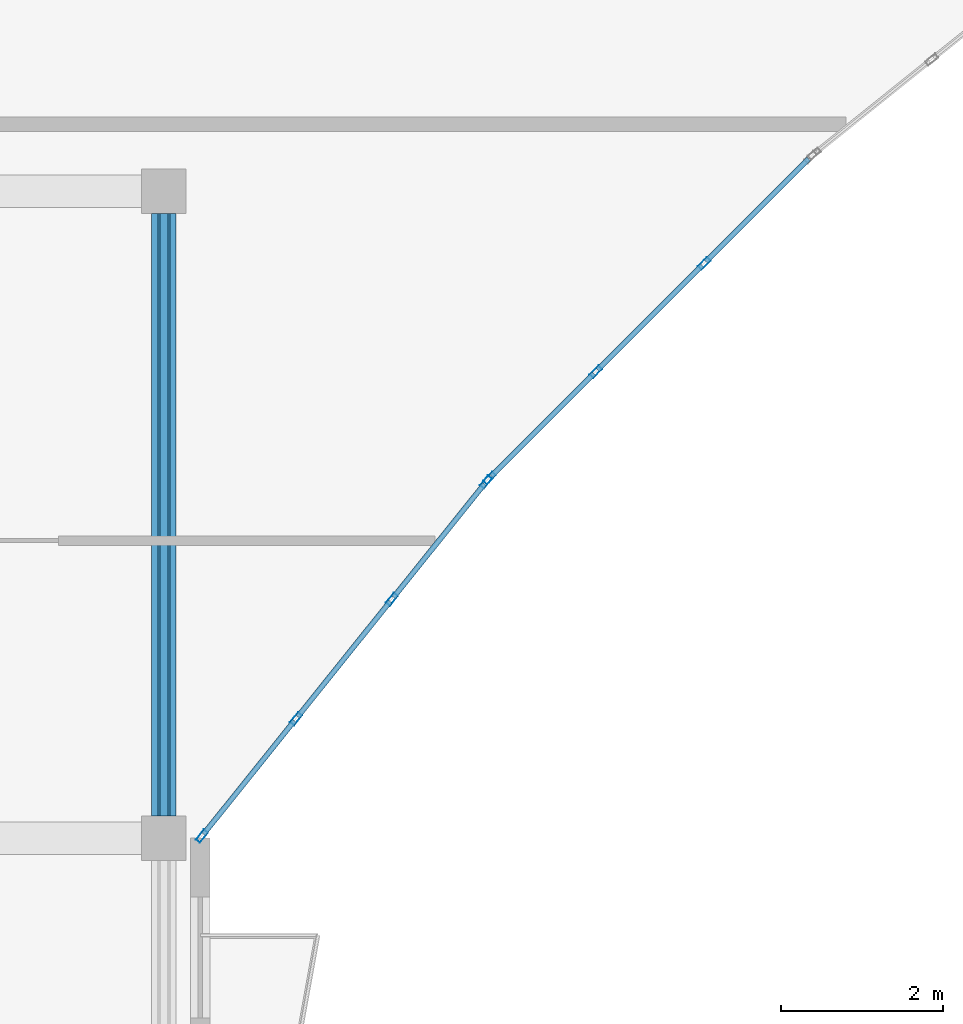
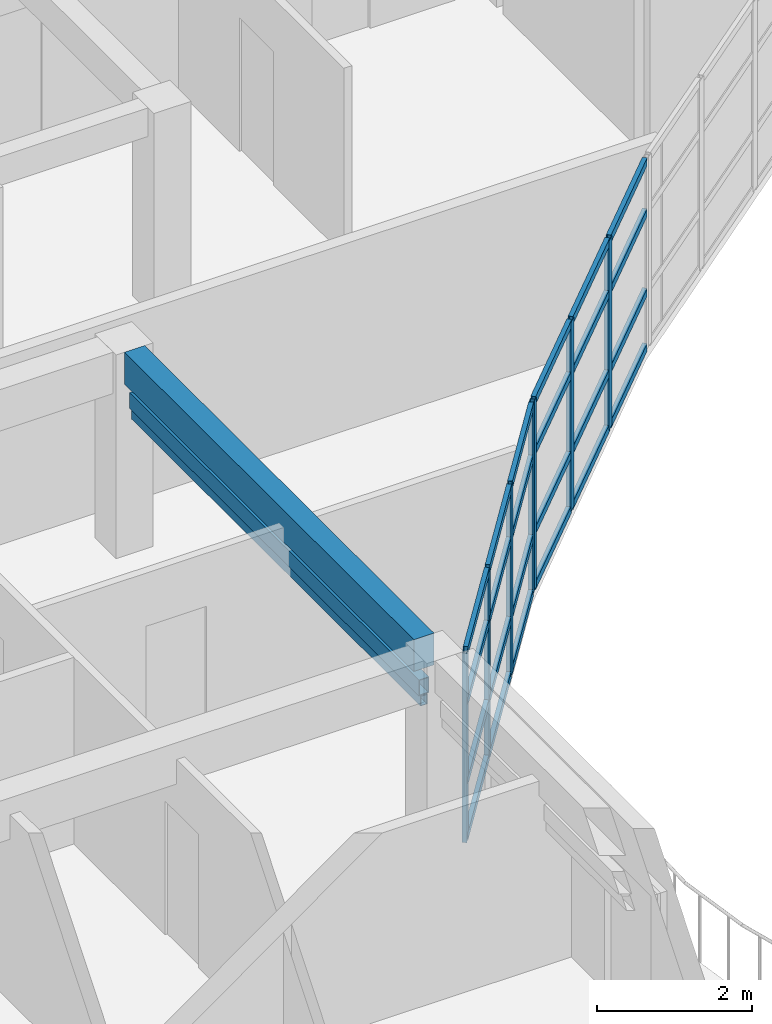
# One storey, part 11 of 49: 33 members, 1 beam, 2 elements without a shape of their own.
"""IFC4 building model written with IfcOpenShell, lengths in metres."""

from ifc_helpers import new_model, si_unit, direction, frame, origin, origin_2d, place, context, subcontext, project, spatial, rectangle, hollow_rectangle, extrude, material, layer, layer_set, material_profile, profile_set, type_object, element, aggregate, save


model = new_model("IFC4")

# Units and contexts
model_context = context("Model", 3, precision=1e-05, world=origin(), true_north=direction((0.0, 1.0)))
body_context = subcontext(model_context, "Body", "Model", "MODEL_VIEW")
ifc_project = project(units=[si_unit("LENGTHUNIT", "METRE"), si_unit("AREAUNIT", "SQUARE_METRE"), si_unit("VOLUMEUNIT", "CUBIC_METRE"), si_unit("PLANEANGLEUNIT", "RADIAN"), si_unit("MASSUNIT", "GRAM", prefix="KILO")], contexts=[model_context])

# Site, building, storey
site_placement = place(None, origin())
site = spatial("IfcSite", under=ifc_project, at=site_placement, CompositionType="ELEMENT")
building_placement = place(site_placement, origin())
building = spatial("IfcBuilding", under=site, at=building_placement, Name="Keldmere Railside Commons", CompositionType="ELEMENT")
storey_placement = place(building_placement, frame((0.0, 0.0, 29.760009765625)))
storey = spatial("IfcBuildingStorey", under=building, at=storey_placement, Name="L09", CompositionType="ELEMENT", Elevation=29.760009765625)

# Member
ifc_material_1 = material(Name="Steel F-36 (S355)", Category="steel")
ifc_material_profile_1 = material_profile(ifc_material_1, hollow_rectangle(XDim=0.14990234375, YDim=0.25, WallThickness=0.010009765625, at=origin_2d()), Name="RHS-250x150x10")
ifc_profile_set_1 = profile_set([ifc_material_profile_1], Name="Steel F-36 (S355)")
member_type_1 = type_object("IfcMemberType", Name="Balcony Continuous Planted Trough RHS250x150", PredefinedType="CHORD", material=ifc_profile_set_1)
member_1_placement = place(storey_placement, frame((119.550048828125, 88.27490234375, 2.4150390625), z_axis=(0.0, 1.0, 0.0), x_axis=(-1.0, 0.0, 0.0)))
element("IfcMember", 1, at=member_1_placement, inside=storey, type_object=member_type_1, Name="PLT-1 MEM-BPLT-0955", PredefinedType="CHORD", context=body_context, shape_type="SweptSolid", body=[
    extrude(hollow_rectangle(XDim=0.14990234375, YDim=0.25, WallThickness=0.010009765625, at=origin_2d()), origin(), (0.0, 0.0, 1.0), 7.4501953125),
])

# Beam
ifc_material_2 = material(Name="Concrete H-30 (C30/37)", Category="concrete")
ifc_material_profile_2 = material_profile(ifc_material_2, rectangle(XDim=0.300048828125, YDim=0.5, at=origin_2d()), Name="RC-300x500")
ifc_profile_set_2 = profile_set([ifc_material_profile_2], Name="Concrete H-30 (C30/37)")
beam_type = type_object("IfcBeamType", Name="Secondary Frame RC Beam 300x500", PredefinedType="BEAM", material=ifc_profile_set_2)
beam_placement = place(storey_placement, frame((119.550048828125, 88.27490234375, 2.949951171875), z_axis=(0.0, 1.0, 0.0), x_axis=(-1.0, 0.0, 0.0)))
element("IfcBeam", 2, at=beam_placement, inside=storey, type_object=beam_type, Name="BG-5 BM-L09-2345", PredefinedType="BEAM", context=body_context, shape_type="SweptSolid", body=[
    extrude(rectangle(XDim=0.300048828125, YDim=0.5, at=origin_2d()), origin(), (0.0, 0.0, 1.0), 7.4501953125),
])

# Member
ifc_material_profile_3 = material_profile(ifc_material_1, hollow_rectangle(XDim=0.10009765625, YDim=0.159912109375, WallThickness=0.008056640625, at=origin_2d()), Name="RHS-160x100x8")
ifc_profile_set_3 = profile_set([ifc_material_profile_3], Name="Steel F-36 (S355)")
member_type_2 = type_object("IfcMemberType", Name="Solar Brise-Soleil Louvre Fin RHS160x100", PredefinedType="STRUT", material=ifc_profile_set_3)
member_2_placement = place(storey_placement, frame((119.550048828125, 88.27490234375, 2.199951171875), z_axis=(0.0, 1.0, 0.0), x_axis=(-1.0, 0.0, 0.0)))
element("IfcMember", 3, at=member_2_placement, inside=storey, type_object=member_type_2, Name="BSF-1 MEM-BSF-0956", PredefinedType="STRUT", context=body_context, shape_type="SweptSolid", body=[
    extrude(hollow_rectangle(XDim=0.10009765625, YDim=0.159912109375, WallThickness=0.008056640625, at=origin_2d()), origin(), (0.0, 0.0, 1.0), 7.4501953125),
])

# Curtain wall, members
ifc_material_3 = material(Name="Thermally Broken Aluminium", Category="aluminium")
ifc_layer_1 = layer(ifc_material_3, 0.159912109375, Name="Court Chord Wintergarden CW 4800x2850")
ifc_layer_set_1 = layer_set([ifc_layer_1], Name="Thermally Broken Aluminium")
curtain_wall_type_1 = type_object("IfcCurtainWallType", Name="Court Chord Wintergarden CW 4800x2850", PredefinedType="NOTDEFINED", material=ifc_layer_set_1)
curtain_wall_1_placement = place(storey_placement, origin())
curtain_wall_1 = element("IfcCurtainWall", 4, at=curtain_wall_1_placement, inside=storey, type_object=curtain_wall_type_1, Name="CW-12 CW-L09-139", PredefinedType="NOTDEFINED")
ifc_material_profile_4 = material_profile(ifc_material_3, hollow_rectangle(XDim=0.06494140625, YDim=0.159912109375, WallThickness=0.00390625, at=origin_2d()), Name="ALU-MULL-65x160")
ifc_profile_set_4 = profile_set([ifc_material_profile_4], Name="Thermally Broken Aluminium")
member_type_3 = type_object("IfcMemberType", Name="Unitised Curtain Wall Mullion 65x160", PredefinedType="MULLION", material=ifc_profile_set_4)
member_3_placement = place(storey_placement, frame((123.53369140625, 92.404541015625, 0.0), z_axis=(0.0, 0.0, 1.0), x_axis=(0.780009172323, -0.625768080915, 0.0)))
member_3 = element("IfcMember", 5, at=member_3_placement, type_object=member_type_3, Name="CW-12 mullion 1", PredefinedType="MULLION", context=body_context, shape_type="SweptSolid", body=[
    extrude(hollow_rectangle(XDim=0.06494140625, YDim=0.159912109375, WallThickness=0.00390625, at=origin_2d()), origin(), (0.0, 0.0, 1.0), 2.97998046875),
])
member_4_placement = place(storey_placement, frame((122.369384765625, 90.953369140625, 0.0), z_axis=(0.0, 0.0, 1.0), x_axis=(0.780009172323, -0.625768080915, 0.0)))
member_4 = element("IfcMember", 6, at=member_4_placement, type_object=member_type_3, Name="CW-12 mullion 2", PredefinedType="MULLION", context=body_context, shape_type="SweptSolid", body=[
    extrude(hollow_rectangle(XDim=0.06494140625, YDim=0.159912109375, WallThickness=0.00390625, at=origin_2d()), origin(), (0.0, 0.0, 1.0), 2.97998046875),
])
member_5_placement = place(storey_placement, frame((121.1845703125, 89.4765625, 0.0), z_axis=(0.0, 0.0, 1.0), x_axis=(0.780009172323, -0.625768080915, 0.0)))
member_5 = element("IfcMember", 7, at=member_5_placement, type_object=member_type_3, Name="CW-12 mullion 3", PredefinedType="MULLION", context=body_context, shape_type="SweptSolid", body=[
    extrude(hollow_rectangle(XDim=0.06494140625, YDim=0.159912109375, WallThickness=0.00390625, at=origin_2d()), origin(), (0.0, 0.0, 1.0), 2.97998046875),
])
member_6_placement = place(storey_placement, frame((120.020263671875, 88.025390625, 0.0), z_axis=(0.0, 0.0, 1.0), x_axis=(0.780009172323, -0.625768080915, 0.0)))
member_6 = element("IfcMember", 8, at=member_6_placement, type_object=member_type_3, Name="CW-12 mullion 4", PredefinedType="MULLION", context=body_context, shape_type="SweptSolid", body=[
    extrude(hollow_rectangle(XDim=0.06494140625, YDim=0.159912109375, WallThickness=0.00390625, at=origin_2d()), origin(), (0.0, 0.0, 1.0), 2.97998046875),
])

ifc_layer_2 = layer(ifc_material_3, 0.159912109375, Name="Court Chord Wintergarden CW 5400x2850")
ifc_layer_set_2 = layer_set([ifc_layer_2], Name="Thermally Broken Aluminium")
curtain_wall_type_2 = type_object("IfcCurtainWallType", Name="Court Chord Wintergarden CW 5400x2850", PredefinedType="NOTDEFINED", material=ifc_layer_set_2)
curtain_wall_2_placement = place(storey_placement, origin())
curtain_wall_2 = element("IfcCurtainWall", 9, at=curtain_wall_2_placement, inside=storey, type_object=curtain_wall_type_2, Name="CW-13 CW-L09-140", PredefinedType="NOTDEFINED")
member_7_placement = place(storey_placement, frame((126.2314453125, 95.107421875, 0.0), z_axis=(0.0, 0.0, 1.0), x_axis=(0.707106781187, -0.707106781187, 0.0)))
member_7 = element("IfcMember", 10, at=member_7_placement, type_object=member_type_3, Name="CW-13 mullion 2", PredefinedType="MULLION", context=body_context, shape_type="SweptSolid", body=[
    extrude(hollow_rectangle(XDim=0.06494140625, YDim=0.159912109375, WallThickness=0.00390625, at=origin_2d()), origin(), (0.0, 0.0, 1.0), 2.97998046875),
])
member_8_placement = place(storey_placement, frame((124.892578125, 93.7685546875, 0.0), z_axis=(0.0, 0.0, 1.0), x_axis=(0.707106781187, -0.707106781187, 0.0)))
member_8 = element("IfcMember", 11, at=member_8_placement, type_object=member_type_3, Name="CW-13 mullion 3", PredefinedType="MULLION", context=body_context, shape_type="SweptSolid", body=[
    extrude(hollow_rectangle(XDim=0.06494140625, YDim=0.159912109375, WallThickness=0.00390625, at=origin_2d()), origin(), (0.0, 0.0, 1.0), 2.97998046875),
])
member_9_placement = place(storey_placement, frame((123.576904296875, 92.452880859375, 0.0), z_axis=(0.0, 0.0, 1.0), x_axis=(0.707106781187, -0.707106781187, 0.0)))
member_9 = element("IfcMember", 12, at=member_9_placement, type_object=member_type_3, Name="CW-13 mullion 4", PredefinedType="MULLION", context=body_context, shape_type="SweptSolid", body=[
    extrude(hollow_rectangle(XDim=0.06494140625, YDim=0.159912109375, WallThickness=0.00390625, at=origin_2d()), origin(), (0.0, 0.0, 1.0), 2.97998046875),
])

# Member
ifc_material_profile_5 = material_profile(ifc_material_3, hollow_rectangle(XDim=0.06494140625, YDim=0.1201171875, WallThickness=0.00390625, at=origin_2d()), Name="ALU-TRAN-65x120")
ifc_profile_set_5 = profile_set([ifc_material_profile_5], Name="Thermally Broken Aluminium")
member_type_4 = type_object("IfcMemberType", Name="Unitised Curtain Wall Transom 65x120", PredefinedType="USERDEFINED", material=ifc_profile_set_5)
member_10_placement = place(storey_placement, frame((123.513427734375, 92.37939453125, 0.032470703125), z_axis=(-0.625805275091, -0.779979331565, 0.0), x_axis=(0.779979331565, -0.625805275091, 0.0)))
member_10 = element("IfcMember", 13, at=member_10_placement, type_object=member_type_4, Name="CW-12 transom 1.1", ObjectType="TRANSOM", PredefinedType="USERDEFINED", context=body_context, shape_type="SweptSolid", body=[
    extrude(hollow_rectangle(XDim=0.06494140625, YDim=0.1201171875, WallThickness=0.00390625, at=origin_2d()), origin(), (0.0, 0.0, 1.0), 1.795654296875),
])

member_11_placement = place(storey_placement, frame((123.513427734375, 92.37939453125, 0.89990234375), z_axis=(-0.625805275091, -0.779979331565, 0.0), x_axis=(0.779979331565, -0.625805275091, 0.0)))
member_11 = element("IfcMember", 14, at=member_11_placement, type_object=member_type_4, Name="CW-12 transom 1.2", ObjectType="TRANSOM", PredefinedType="USERDEFINED", context=body_context, shape_type="SweptSolid", body=[
    extrude(hollow_rectangle(XDim=0.06494140625, YDim=0.1201171875, WallThickness=0.00390625, at=origin_2d()), origin(), (0.0, 0.0, 1.0), 1.795654296875),
])

member_12_placement = place(storey_placement, frame((123.513427734375, 92.37939453125, 2.14990234375), z_axis=(-0.625805275091, -0.779979331565, 0.0), x_axis=(0.779979331565, -0.625805275091, 0.0)))
member_12 = element("IfcMember", 15, at=member_12_placement, type_object=member_type_4, Name="CW-12 transom 1.3", ObjectType="TRANSOM", PredefinedType="USERDEFINED", context=body_context, shape_type="SweptSolid", body=[
    extrude(hollow_rectangle(XDim=0.06494140625, YDim=0.1201171875, WallThickness=0.00390625, at=origin_2d()), origin(), (0.0, 0.0, 1.0), 1.795654296875),
])

member_13_placement = place(storey_placement, frame((123.513427734375, 92.37939453125, 2.947509765625), z_axis=(-0.625805275091, -0.779979331565, 0.0), x_axis=(0.779979331565, -0.625805275091, 0.0)))
member_13 = element("IfcMember", 16, at=member_13_placement, type_object=member_type_4, Name="CW-12 transom 1.4", ObjectType="TRANSOM", PredefinedType="USERDEFINED", context=body_context, shape_type="SweptSolid", body=[
    extrude(hollow_rectangle(XDim=0.06494140625, YDim=0.1201171875, WallThickness=0.00390625, at=origin_2d()), origin(), (0.0, 0.0, 1.0), 1.795654296875),
])

member_14_placement = place(storey_placement, frame((122.348876953125, 90.927978515625, 0.032470703125), z_axis=(-0.625688033635, -0.78007338409, 0.0), x_axis=(0.78007338409, -0.625688033635, 0.0)))
member_14 = element("IfcMember", 17, at=member_14_placement, type_object=member_type_4, Name="CW-12 transom 2.1", ObjectType="TRANSOM", PredefinedType="USERDEFINED", context=body_context, shape_type="SweptSolid", body=[
    extrude(hollow_rectangle(XDim=0.06494140625, YDim=0.1201171875, WallThickness=0.00390625, at=origin_2d()), origin(), (0.0, 0.0, 1.0), 1.828125),
])

member_15_placement = place(storey_placement, frame((122.348876953125, 90.927978515625, 0.89990234375), z_axis=(-0.625688033635, -0.78007338409, 0.0), x_axis=(0.78007338409, -0.625688033635, 0.0)))
member_15 = element("IfcMember", 18, at=member_15_placement, type_object=member_type_4, Name="CW-12 transom 2.2", ObjectType="TRANSOM", PredefinedType="USERDEFINED", context=body_context, shape_type="SweptSolid", body=[
    extrude(hollow_rectangle(XDim=0.06494140625, YDim=0.1201171875, WallThickness=0.00390625, at=origin_2d()), origin(), (0.0, 0.0, 1.0), 1.828125),
])

member_16_placement = place(storey_placement, frame((122.348876953125, 90.927978515625, 2.14990234375), z_axis=(-0.625688033635, -0.78007338409, 0.0), x_axis=(0.78007338409, -0.625688033635, 0.0)))
member_16 = element("IfcMember", 19, at=member_16_placement, type_object=member_type_4, Name="CW-12 transom 2.3", ObjectType="TRANSOM", PredefinedType="USERDEFINED", context=body_context, shape_type="SweptSolid", body=[
    extrude(hollow_rectangle(XDim=0.06494140625, YDim=0.1201171875, WallThickness=0.00390625, at=origin_2d()), origin(), (0.0, 0.0, 1.0), 1.828125),
])

member_17_placement = place(storey_placement, frame((122.348876953125, 90.927978515625, 2.947509765625), z_axis=(-0.625688033635, -0.78007338409, 0.0), x_axis=(0.78007338409, -0.625688033635, 0.0)))
member_17 = element("IfcMember", 20, at=member_17_placement, type_object=member_type_4, Name="CW-12 transom 2.4", ObjectType="TRANSOM", PredefinedType="USERDEFINED", context=body_context, shape_type="SweptSolid", body=[
    extrude(hollow_rectangle(XDim=0.06494140625, YDim=0.1201171875, WallThickness=0.00390625, at=origin_2d()), origin(), (0.0, 0.0, 1.0), 1.828125),
])

member_18_placement = place(storey_placement, frame((121.164306640625, 89.451416015625, 0.032470703125), z_axis=(-0.625722553313, -0.780045694992, 0.0), x_axis=(0.780045694992, -0.625722553313, 0.0)))
member_18 = element("IfcMember", 21, at=member_18_placement, type_object=member_type_4, Name="CW-12 transom 3.1", ObjectType="TRANSOM", PredefinedType="USERDEFINED", context=body_context, shape_type="SweptSolid", body=[
    extrude(hollow_rectangle(XDim=0.06494140625, YDim=0.1201171875, WallThickness=0.00390625, at=origin_2d()), origin(), (0.0, 0.0, 1.0), 1.795654296875),
])

member_19_placement = place(storey_placement, frame((121.164306640625, 89.451416015625, 0.89990234375), z_axis=(-0.625722553313, -0.780045694992, 0.0), x_axis=(0.780045694992, -0.625722553313, 0.0)))
member_19 = element("IfcMember", 22, at=member_19_placement, type_object=member_type_4, Name="CW-12 transom 3.2", ObjectType="TRANSOM", PredefinedType="USERDEFINED", context=body_context, shape_type="SweptSolid", body=[
    extrude(hollow_rectangle(XDim=0.06494140625, YDim=0.1201171875, WallThickness=0.00390625, at=origin_2d()), origin(), (0.0, 0.0, 1.0), 1.795654296875),
])

member_20_placement = place(storey_placement, frame((121.164306640625, 89.451416015625, 2.14990234375), z_axis=(-0.625722553313, -0.780045694992, 0.0), x_axis=(0.780045694992, -0.625722553313, 0.0)))
member_20 = element("IfcMember", 23, at=member_20_placement, type_object=member_type_4, Name="CW-12 transom 3.3", ObjectType="TRANSOM", PredefinedType="USERDEFINED", context=body_context, shape_type="SweptSolid", body=[
    extrude(hollow_rectangle(XDim=0.06494140625, YDim=0.1201171875, WallThickness=0.00390625, at=origin_2d()), origin(), (0.0, 0.0, 1.0), 1.795654296875),
])

member_21_placement = place(storey_placement, frame((121.164306640625, 89.451416015625, 2.947509765625), z_axis=(-0.625722553313, -0.780045694992, 0.0), x_axis=(0.780045694992, -0.625722553313, 0.0)))
member_21 = element("IfcMember", 24, at=member_21_placement, type_object=member_type_4, Name="CW-12 transom 3.4", ObjectType="TRANSOM", PredefinedType="USERDEFINED", context=body_context, shape_type="SweptSolid", body=[
    extrude(hollow_rectangle(XDim=0.06494140625, YDim=0.1201171875, WallThickness=0.00390625, at=origin_2d()), origin(), (0.0, 0.0, 1.0), 1.795654296875),
])

aggregate(curtain_wall_1, [member_3, member_4, member_5, member_6, member_10, member_11, member_12, member_13, member_14, member_15, member_16, member_17, member_18, member_19, member_20, member_21])

member_22_placement = place(storey_placement, frame((127.52392578125, 96.400146484375, 0.032470703125), z_axis=(-0.707038793419, -0.707174762418, 0.0), x_axis=(0.707174762418, -0.707038793419, 0.0)))
member_22 = element("IfcMember", 25, at=member_22_placement, type_object=member_type_4, Name="CW-13 transom 1.1", ObjectType="TRANSOM", PredefinedType="USERDEFINED", context=body_context, shape_type="SweptSolid", body=[
    extrude(hollow_rectangle(XDim=0.06494140625, YDim=0.1201171875, WallThickness=0.00390625, at=origin_2d()), origin(), (0.0, 0.0, 1.0), 1.795654296875),
])

member_23_placement = place(storey_placement, frame((127.52392578125, 96.400146484375, 0.89990234375), z_axis=(-0.707038793419, -0.707174762418, 0.0), x_axis=(0.707174762418, -0.707038793419, 0.0)))
member_23 = element("IfcMember", 26, at=member_23_placement, type_object=member_type_4, Name="CW-13 transom 1.2", ObjectType="TRANSOM", PredefinedType="USERDEFINED", context=body_context, shape_type="SweptSolid", body=[
    extrude(hollow_rectangle(XDim=0.06494140625, YDim=0.1201171875, WallThickness=0.00390625, at=origin_2d()), origin(), (0.0, 0.0, 1.0), 1.795654296875),
])

member_24_placement = place(storey_placement, frame((127.52392578125, 96.400146484375, 2.14990234375), z_axis=(-0.707038793419, -0.707174762418, 0.0), x_axis=(0.707174762418, -0.707038793419, 0.0)))
member_24 = element("IfcMember", 27, at=member_24_placement, type_object=member_type_4, Name="CW-13 transom 1.3", ObjectType="TRANSOM", PredefinedType="USERDEFINED", context=body_context, shape_type="SweptSolid", body=[
    extrude(hollow_rectangle(XDim=0.06494140625, YDim=0.1201171875, WallThickness=0.00390625, at=origin_2d()), origin(), (0.0, 0.0, 1.0), 1.795654296875),
])

member_25_placement = place(storey_placement, frame((127.52392578125, 96.400146484375, 2.947509765625), z_axis=(-0.707038793419, -0.707174762418, 0.0), x_axis=(0.707174762418, -0.707038793419, 0.0)))
member_25 = element("IfcMember", 28, at=member_25_placement, type_object=member_type_4, Name="CW-13 transom 1.4", ObjectType="TRANSOM", PredefinedType="USERDEFINED", context=body_context, shape_type="SweptSolid", body=[
    extrude(hollow_rectangle(XDim=0.06494140625, YDim=0.1201171875, WallThickness=0.00390625, at=origin_2d()), origin(), (0.0, 0.0, 1.0), 1.795654296875),
])

member_26_placement = place(storey_placement, frame((126.208251953125, 95.08447265625, 0.032470703125), z_axis=(-0.707106781187, -0.707106781187, 0.0), x_axis=(0.707106781187, -0.707106781187, 0.0)))
member_26 = element("IfcMember", 29, at=member_26_placement, type_object=member_type_4, Name="CW-13 transom 2.1", ObjectType="TRANSOM", PredefinedType="USERDEFINED", context=body_context, shape_type="SweptSolid", body=[
    extrude(hollow_rectangle(XDim=0.06494140625, YDim=0.1201171875, WallThickness=0.00390625, at=origin_2d()), origin(), (0.0, 0.0, 1.0), 1.828125),
])

member_27_placement = place(storey_placement, frame((126.208251953125, 95.08447265625, 0.89990234375), z_axis=(-0.707106781187, -0.707106781187, 0.0), x_axis=(0.707106781187, -0.707106781187, 0.0)))
member_27 = element("IfcMember", 30, at=member_27_placement, type_object=member_type_4, Name="CW-13 transom 2.2", ObjectType="TRANSOM", PredefinedType="USERDEFINED", context=body_context, shape_type="SweptSolid", body=[
    extrude(hollow_rectangle(XDim=0.06494140625, YDim=0.1201171875, WallThickness=0.00390625, at=origin_2d()), origin(), (0.0, 0.0, 1.0), 1.828125),
])

member_28_placement = place(storey_placement, frame((126.208251953125, 95.08447265625, 2.14990234375), z_axis=(-0.707106781187, -0.707106781187, 0.0), x_axis=(0.707106781187, -0.707106781187, 0.0)))
member_28 = element("IfcMember", 31, at=member_28_placement, type_object=member_type_4, Name="CW-13 transom 2.3", ObjectType="TRANSOM", PredefinedType="USERDEFINED", context=body_context, shape_type="SweptSolid", body=[
    extrude(hollow_rectangle(XDim=0.06494140625, YDim=0.1201171875, WallThickness=0.00390625, at=origin_2d()), origin(), (0.0, 0.0, 1.0), 1.828125),
])

member_29_placement = place(storey_placement, frame((126.208251953125, 95.08447265625, 2.947509765625), z_axis=(-0.707106781187, -0.707106781187, 0.0), x_axis=(0.707106781187, -0.707106781187, 0.0)))
member_29 = element("IfcMember", 32, at=member_29_placement, type_object=member_type_4, Name="CW-13 transom 2.4", ObjectType="TRANSOM", PredefinedType="USERDEFINED", context=body_context, shape_type="SweptSolid", body=[
    extrude(hollow_rectangle(XDim=0.06494140625, YDim=0.1201171875, WallThickness=0.00390625, at=origin_2d()), origin(), (0.0, 0.0, 1.0), 1.828125),
])

member_30_placement = place(storey_placement, frame((124.86962890625, 93.74560546875, 0.032470703125), z_axis=(-0.707174762418, -0.707038793419, 0.0), x_axis=(0.707038793419, -0.707174762418, 0.0)))
member_30 = element("IfcMember", 33, at=member_30_placement, type_object=member_type_4, Name="CW-13 transom 3.1", ObjectType="TRANSOM", PredefinedType="USERDEFINED", context=body_context, shape_type="SweptSolid", body=[
    extrude(hollow_rectangle(XDim=0.06494140625, YDim=0.1201171875, WallThickness=0.00390625, at=origin_2d()), origin(), (0.0, 0.0, 1.0), 1.795654296875),
])

member_31_placement = place(storey_placement, frame((124.86962890625, 93.74560546875, 0.89990234375), z_axis=(-0.707174762418, -0.707038793419, 0.0), x_axis=(0.707038793419, -0.707174762418, 0.0)))
member_31 = element("IfcMember", 34, at=member_31_placement, type_object=member_type_4, Name="CW-13 transom 3.2", ObjectType="TRANSOM", PredefinedType="USERDEFINED", context=body_context, shape_type="SweptSolid", body=[
    extrude(hollow_rectangle(XDim=0.06494140625, YDim=0.1201171875, WallThickness=0.00390625, at=origin_2d()), origin(), (0.0, 0.0, 1.0), 1.795654296875),
])

member_32_placement = place(storey_placement, frame((124.86962890625, 93.74560546875, 2.14990234375), z_axis=(-0.707174762418, -0.707038793419, 0.0), x_axis=(0.707038793419, -0.707174762418, 0.0)))
member_32 = element("IfcMember", 35, at=member_32_placement, type_object=member_type_4, Name="CW-13 transom 3.3", ObjectType="TRANSOM", PredefinedType="USERDEFINED", context=body_context, shape_type="SweptSolid", body=[
    extrude(hollow_rectangle(XDim=0.06494140625, YDim=0.1201171875, WallThickness=0.00390625, at=origin_2d()), origin(), (0.0, 0.0, 1.0), 1.795654296875),
])

member_33_placement = place(storey_placement, frame((124.86962890625, 93.74560546875, 2.947509765625), z_axis=(-0.707174762418, -0.707038793419, 0.0), x_axis=(0.707038793419, -0.707174762418, 0.0)))
member_33 = element("IfcMember", 36, at=member_33_placement, type_object=member_type_4, Name="CW-13 transom 3.4", ObjectType="TRANSOM", PredefinedType="USERDEFINED", context=body_context, shape_type="SweptSolid", body=[
    extrude(hollow_rectangle(XDim=0.06494140625, YDim=0.1201171875, WallThickness=0.00390625, at=origin_2d()), origin(), (0.0, 0.0, 1.0), 1.795654296875),
])

aggregate(curtain_wall_2, [member_7, member_8, member_9, member_22, member_23, member_24, member_25, member_26, member_27, member_28, member_29, member_30, member_31, member_32, member_33])

save(model, "model.ifc")
